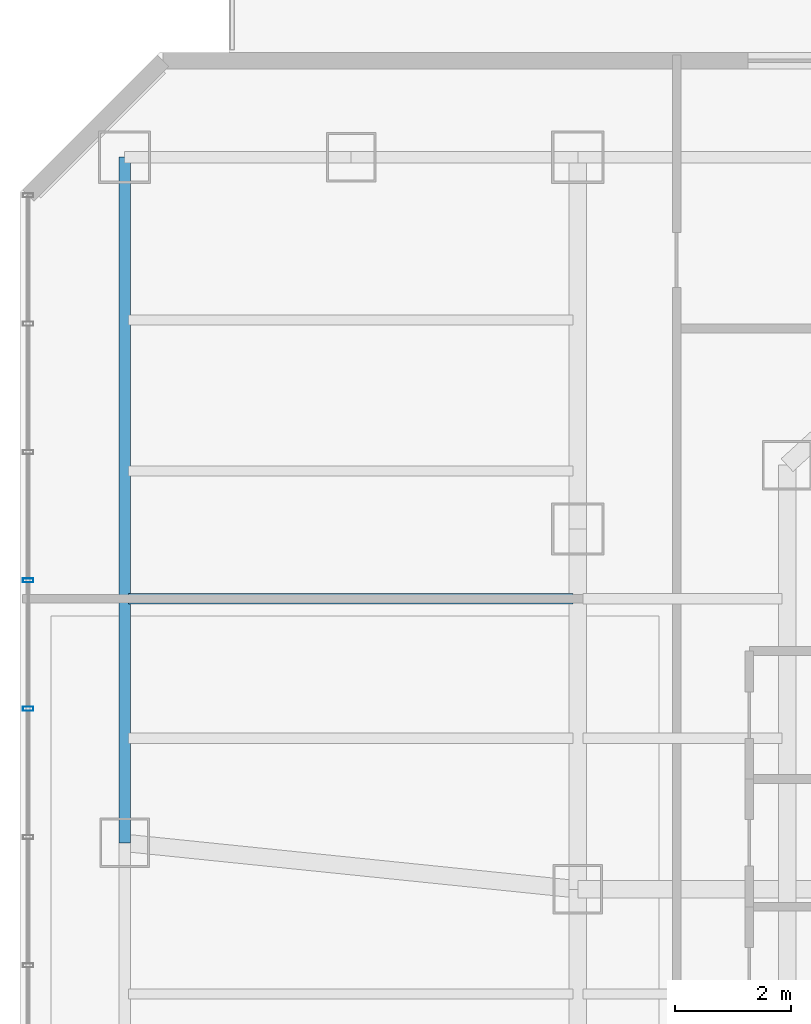
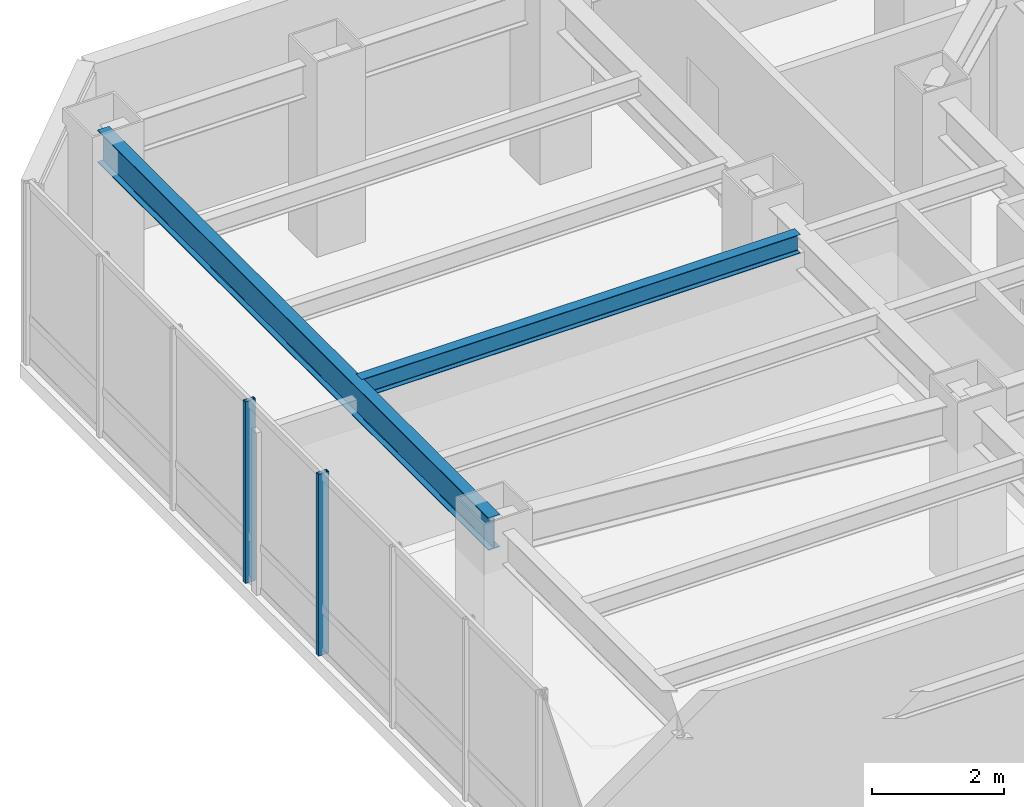
# One storey, part 15 of 29: 2 beams, 2 members, 1 element without a shape of its own.
"""IFC4 building model written with IfcOpenShell, lengths in metres."""

from ifc_helpers import new_model, si_unit, direction, frame, origin, origin_2d, place, context, subcontext, project, spatial, hollow_rectangle, i_section, extrude, material, layer, layer_set, material_profile, profile_set, type_object, element, aggregate, save


model = new_model("IFC4")

# Units and contexts
model_context = context("Model", 3, precision=1e-05, world=origin(), true_north=direction((0.0, 1.0)))
body_context = subcontext(model_context, "Body", "Model", "MODEL_VIEW")
ifc_project = project(units=[si_unit("LENGTHUNIT", "METRE"), si_unit("AREAUNIT", "SQUARE_METRE"), si_unit("VOLUMEUNIT", "CUBIC_METRE"), si_unit("PLANEANGLEUNIT", "RADIAN"), si_unit("MASSUNIT", "GRAM", prefix="KILO")], contexts=[model_context])

# Site, building, storey
site_placement = place(None, origin())
site = spatial("IfcSite", under=ifc_project, at=site_placement, CompositionType="ELEMENT")
building_placement = place(site_placement, origin())
building = spatial("IfcBuilding", under=site, at=building_placement, Name="Hatsunagi Terrace Concourse", CompositionType="ELEMENT")
storey_placement = place(building_placement, frame((0.0, 0.0, 119.25)))
storey = spatial("IfcBuildingStorey", under=building, at=storey_placement, Name="L31", CompositionType="ELEMENT", Elevation=119.25)

# Curtain wall, members
ifc_material_1 = material(Name="Anodised Aluminium Alloy 6063-T5", Category="aluminium")
ifc_layer = layer(ifc_material_1, 0.199951171875)
ifc_layer_set = layer_set([ifc_layer], Name="OfficeZone1_CW03")
curtain_wall_type = type_object("IfcCurtainWallType", Name="OfficeZone1_CW03", PredefinedType="NOTDEFINED", material=ifc_layer_set)
curtain_wall_placement = place(storey_placement, origin())
curtain_wall = element("IfcCurtainWall", 1, at=curtain_wall_placement, inside=storey, type_object=curtain_wall_type, Name="Unitised Curtain Wall CW-03 CW-L31-09", PredefinedType="NOTDEFINED")
ifc_material_2 = material(Name="Anodised Aluminium Alloy 6063-T5", Category="aluminium")
ifc_material_profile_1 = material_profile(ifc_material_2, hollow_rectangle(XDim=0.070068359375, YDim=0.179931640625, WallThickness=0.00390625, at=origin_2d()), Name="ALU-MUL-180x70x4")
ifc_profile_set_1 = profile_set([ifc_material_profile_1], Name="Anodised Aluminium Alloy 6063-T5")
member_type = type_object("IfcMemberType", Name="CurtainWallMullion_180x70", PredefinedType="MULLION", material=ifc_profile_set_1)
member_1_placement = place(storey_placement, frame((9.739990234375, 39.10791015625, 0.0), z_axis=(0.0, 0.0, 1.0), x_axis=(0.0, 1.0, 0.0)))
member_1 = element("IfcMember", 2, at=member_1_placement, type_object=member_type, Name="Curtain Wall Mullion MUL-02", PredefinedType="MULLION", context=body_context, shape_type="SweptSolid", body=[
    extrude(hollow_rectangle(XDim=0.070068359375, YDim=0.179931640625, WallThickness=0.00390625, at=origin_2d()), origin(), (0.0, 0.0, 1.0), 3.35009765625),
])
member_2_placement = place(storey_placement, frame((9.739990234375, 41.31689453125, 0.0), z_axis=(0.0, 0.0, 1.0), x_axis=(0.0, 1.0, 0.0)))
member_2 = element("IfcMember", 3, at=member_2_placement, type_object=member_type, Name="Curtain Wall Mullion MUL-02", PredefinedType="MULLION", context=body_context, shape_type="SweptSolid", body=[
    extrude(hollow_rectangle(XDim=0.070068359375, YDim=0.179931640625, WallThickness=0.00390625, at=origin_2d()), origin(), (0.0, 0.0, 1.0), 3.35009765625),
])
aggregate(curtain_wall, [member_1, member_2])

# Beams
ifc_material_3 = material(Name="Steel SN490B", Category="steel")
ifc_material_profile_2 = material_profile(ifc_material_3, i_section(OverallWidth=0.175048828125, OverallDepth=0.35009765625, WebThickness=0.007080078125, FlangeThickness=0.010986328125, FilletRadius=0.012939453125, at=origin_2d()), Name="H-350x175x7x11")
ifc_profile_set_2 = profile_set([ifc_material_profile_2], Name="Steel SN490B")
beam_type_1 = type_object("IfcBeamType", Name="HotelJoist_H_350x175", PredefinedType="JOIST", material=ifc_profile_set_2)
beam_1_placement = place(storey_placement, frame((11.465087890625, 41.0, 3.175048828125), z_axis=(1.0, 0.0, 0.0), x_axis=(0.0, 1.0, 0.0)))
element("IfcBeam", 4, at=beam_1_placement, inside=storey, type_object=beam_type_1, Name="Beam J-02 J-L31-W-11-410", PredefinedType="JOIST", context=body_context, shape_type="SweptSolid", body=[
    extrude(i_section(OverallWidth=0.175048828125, OverallDepth=0.35009765625, WebThickness=0.007080078125, FlangeThickness=0.010986328125, FilletRadius=0.012939453125, at=origin_2d()), origin(), (0.0, 0.0, 1.0), 7.64990234375),
])
ifc_material_4 = material(Name="Steel SN490B", Category="steel")
ifc_material_profile_3 = material_profile(ifc_material_4, i_section(OverallWidth=0.199951171875, OverallDepth=0.60009765625, WebThickness=0.010986328125, FlangeThickness=0.01708984375, FilletRadius=0.01806640625, at=origin_2d()), Name="H-600x200x11x17")
ifc_profile_set_3 = profile_set([ifc_material_profile_3], Name="Steel SN490B")
beam_type_2 = type_object("IfcBeamType", Name="PerimeterSpandrel_H_600x200", PredefinedType="SPANDREL", material=ifc_profile_set_3)
beam_2_placement = place(storey_placement, frame((11.39990234375, 36.800048828125, 3.050048828125), z_axis=(0.0, 1.0, 0.0), x_axis=(-1.0, 0.0, 0.0)))
element("IfcBeam", 5, at=beam_2_placement, inside=storey, type_object=beam_type_2, Name="Beam SP-01 BM-L31-NS-11-36", PredefinedType="SPANDREL", context=body_context, shape_type="SweptSolid", body=[
    extrude(i_section(OverallWidth=0.199951171875, OverallDepth=0.60009765625, WebThickness=0.010986328125, FlangeThickness=0.01708984375, FilletRadius=0.01806640625, at=origin_2d()), origin(), (0.0, 0.0, 1.0), 11.800048828125),
])

save(model, "model.ifc")
